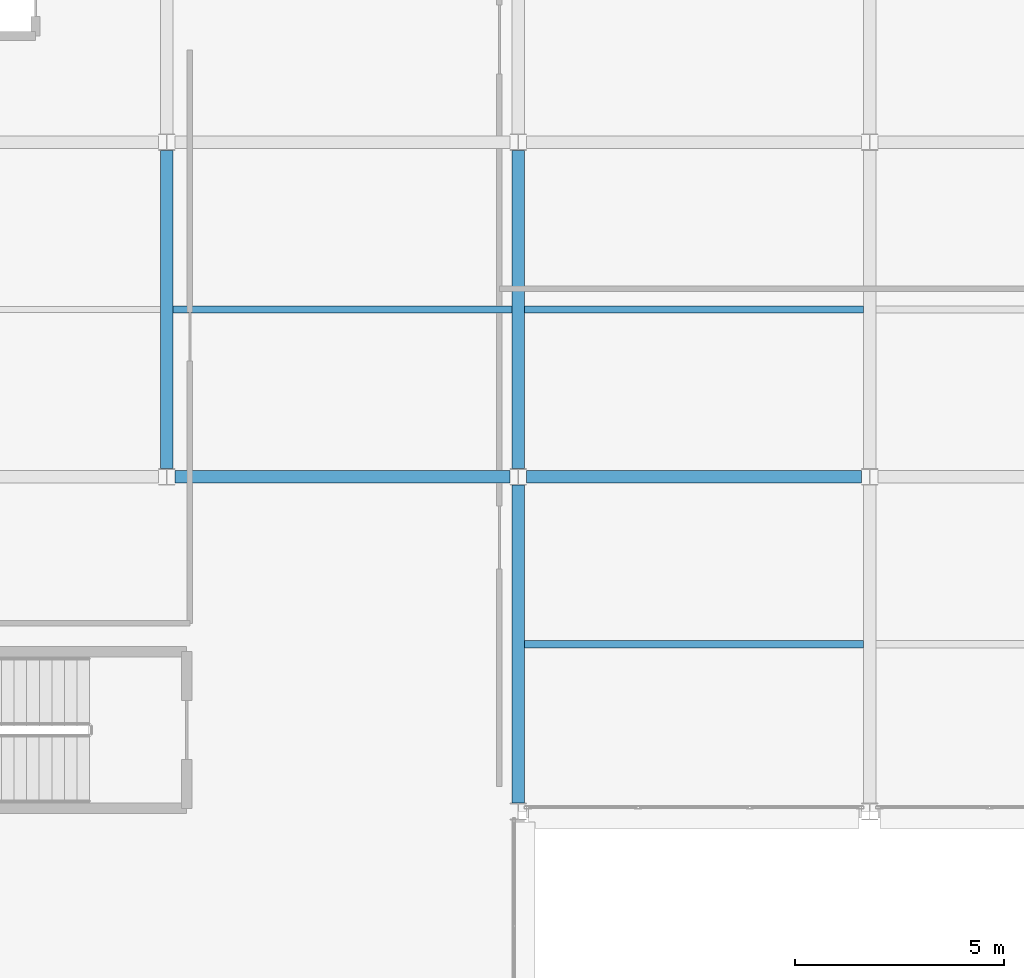
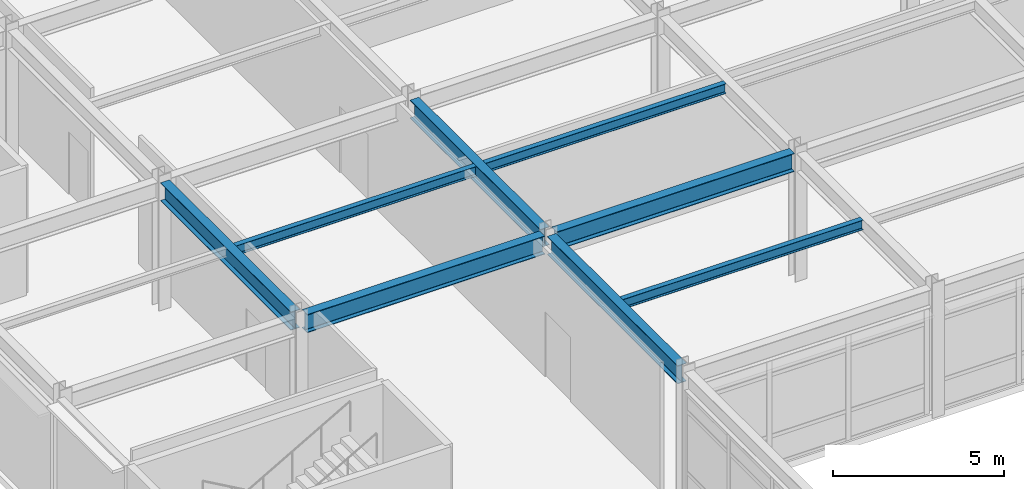
# One storey, part 21 of 93: 8 beams.
"""IFC4 building model written with IfcOpenShell, lengths in metres."""

from ifc_helpers import new_model, si_unit, direction, frame, origin, origin_2d, place, context, subcontext, project, spatial, i_section, extrude, material, material_profile, profile_set, type_object, element, save


model = new_model("IFC4")

# Units and contexts
model_context = context("Model", 3, precision=1e-05, world=origin(), true_north=direction((0.0, 1.0)))
body_context = subcontext(model_context, "Body", "Model", "MODEL_VIEW")
ifc_project = project(units=[si_unit("LENGTHUNIT", "METRE"), si_unit("AREAUNIT", "SQUARE_METRE"), si_unit("VOLUMEUNIT", "CUBIC_METRE"), si_unit("PLANEANGLEUNIT", "RADIAN"), si_unit("MASSUNIT", "GRAM", prefix="KILO")], contexts=[model_context])

# Site, building, storey
site_placement = place(None, origin())
site = spatial("IfcSite", under=ifc_project, at=site_placement, CompositionType="ELEMENT")
building_placement = place(site_placement, origin())
building = spatial("IfcBuilding", under=site, at=building_placement, Name="Kazehara Bluff Congress Hotel", CompositionType="ELEMENT")
storey_placement = place(building_placement, frame((0.0, 0.0, 15.0)))
storey = spatial("IfcBuildingStorey", under=building, at=storey_placement, Name="L03", CompositionType="ELEMENT", Elevation=15.0)

# Beams
ifc_material_1 = material(Name="Steel SN490B", Category="steel")
ifc_material_profile_1 = material_profile(ifc_material_1, i_section(OverallWidth=0.300048828125, OverallDepth=0.64990234375, WebThickness=0.011962890625, FlangeThickness=0.02001953125, FilletRadius=0.012939453125, at=origin_2d()))
ifc_profile_set_1 = profile_set([ifc_material_profile_1], Name="Steel SN490B")
beam_type_1 = type_object("IfcBeamType", Name="TP-G-03", PredefinedType="BEAM", material=ifc_profile_set_1)
for number, where, z_axis, x_axis, name in (
    (1, (67.64990234375, 24.199951171875, 4.235107421875), (0.0, 1.0, 0.0), (-1.0, 0.0, 0.0), "L03 girder G-03 47"),
    (2, (76.050048828125, 16.199951171875, 4.235107421875), (0.0, 1.0, 0.0), (-1.0, 0.0, 0.0), "L03 girder G-03 53"),
    (3, (76.050048828125, 24.199951171875, 4.235107421875), (0.0, 1.0, 0.0), (-1.0, 0.0, 0.0), "L03 girder G-03 54"),
):
    element("IfcBeam", number, at=place(storey_placement, frame(where, z_axis=z_axis, x_axis=x_axis)), inside=storey, type_object=beam_type_1, Name=name, PredefinedType="BEAM", context=body_context, shape_type="SweptSolid", body=[
        extrude(i_section(OverallWidth=0.300048828125, OverallDepth=0.64990234375, WebThickness=0.011962890625, FlangeThickness=0.02001953125, FilletRadius=0.012939453125, at=origin_2d()), origin(), (0.0, 0.0, 1.0), 7.60009765625),
    ])
for number, where, z_axis, x_axis, name in (
    (4, (67.85009765625, 24.0, 4.235107421875), (1.0, 0.0, 0.0), (0.0, 1.0, 0.0), "L03 girder G-03 79"),
    (5, (76.25, 24.0, 4.235107421875), (1.0, 0.0, 0.0), (0.0, 1.0, 0.0), "L03 girder G-03 80"),
):
    element("IfcBeam", number, at=place(storey_placement, frame(where, z_axis=z_axis, x_axis=x_axis)), inside=storey, type_object=beam_type_1, Name=name, PredefinedType="BEAM", context=body_context, shape_type="SweptSolid", body=[
        extrude(i_section(OverallWidth=0.300048828125, OverallDepth=0.64990234375, WebThickness=0.011962890625, FlangeThickness=0.02001953125, FilletRadius=0.012939453125, at=origin_2d()), origin(), (0.0, 0.0, 1.0), 8.0),
    ])
ifc_material_2 = material(Name="Steel SN400B", Category="steel")
ifc_material_profile_2 = material_profile(ifc_material_2, i_section(OverallWidth=0.175048828125, OverallDepth=0.35009765625, WebThickness=0.007080078125, FlangeThickness=0.010986328125, FilletRadius=0.012939453125, at=origin_2d()))
ifc_profile_set_2 = profile_set([ifc_material_profile_2], Name="Steel SN400B")
beam_type_2 = type_object("IfcBeamType", Name="TP-J-02", PredefinedType="JOIST", material=ifc_profile_set_2)
beam_placement = place(storey_placement, frame((67.800048828125, 28.0, 4.385009765625), z_axis=(1.0, 0.0, 0.0), x_axis=(0.0, 1.0, 0.0)))
element("IfcBeam", 6, at=beam_placement, inside=storey, type_object=beam_type_2, Name="L03 secondary joist J-02 6", PredefinedType="JOIST", context=body_context, shape_type="SweptSolid", body=[
    extrude(i_section(OverallWidth=0.175048828125, OverallDepth=0.35009765625, WebThickness=0.007080078125, FlangeThickness=0.010986328125, FilletRadius=0.012939453125, at=origin_2d()), origin(), (0.0, 0.0, 1.0), 8.099853515625),
])
for number, where, z_axis, x_axis, name in (
    (7, (76.199951171875, 20.0, 4.385009765625), (1.0, 0.0, 0.0), (0.0, 1.0, 0.0), "L03 secondary joist J-02 9"),
    (8, (76.199951171875, 28.0, 4.385009765625), (1.0, 0.0, 0.0), (0.0, 1.0, 0.0), "L03 secondary joist J-02 10"),
):
    element("IfcBeam", number, at=place(storey_placement, frame(where, z_axis=z_axis, x_axis=x_axis)), inside=storey, type_object=beam_type_2, Name=name, PredefinedType="JOIST", context=body_context, shape_type="SweptSolid", body=[
        extrude(i_section(OverallWidth=0.175048828125, OverallDepth=0.35009765625, WebThickness=0.007080078125, FlangeThickness=0.010986328125, FilletRadius=0.012939453125, at=origin_2d()), origin(), (0.0, 0.0, 1.0), 8.10009765625),
    ])

save(model, "model.ifc")
